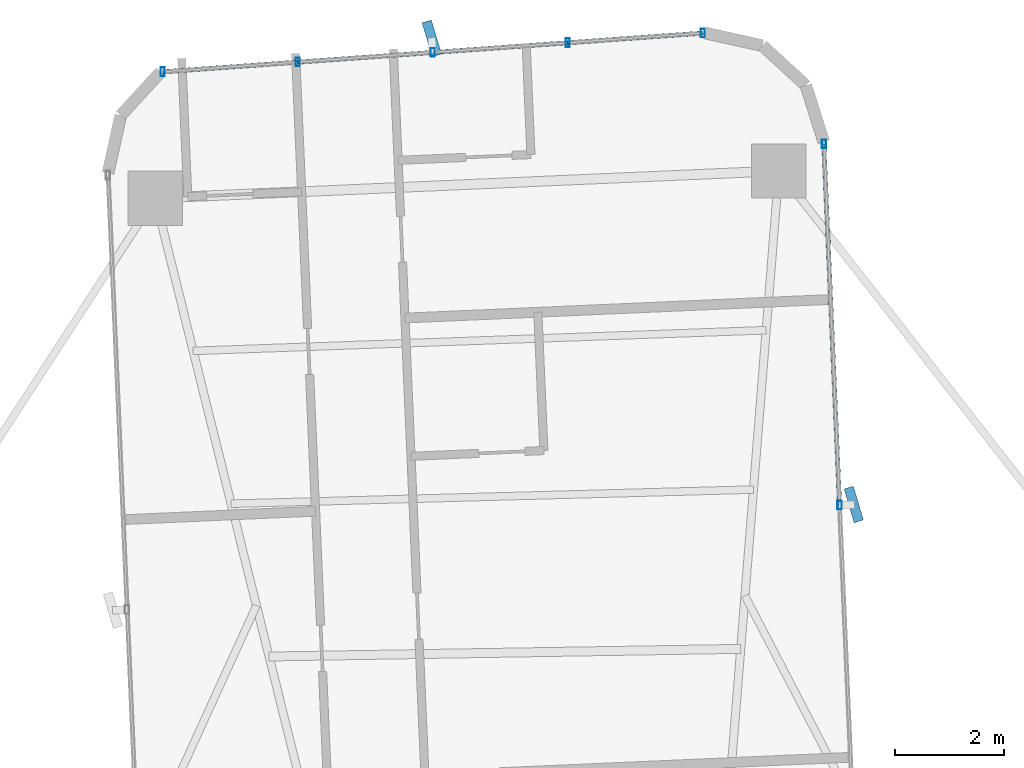
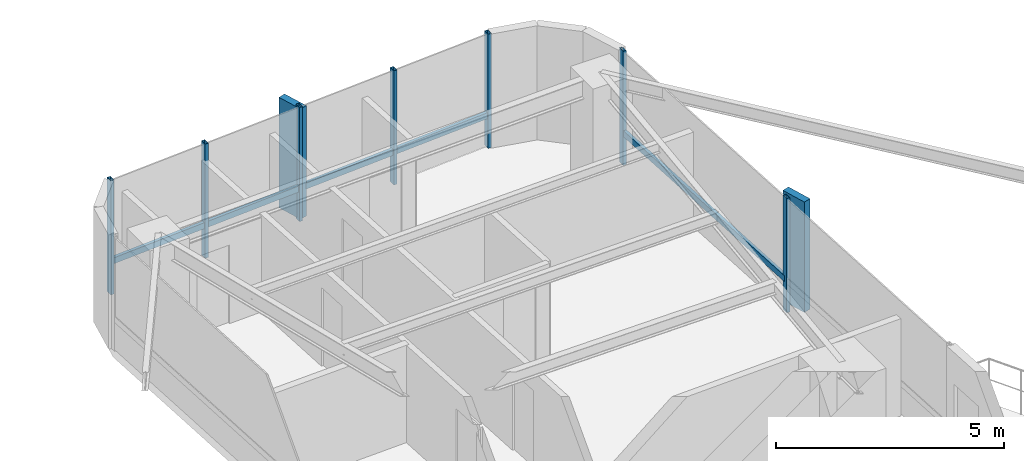
# One storey, part 19 of 27: 14 members, 2 elements without a shape of their own.
"""IFC4 building model written with IfcOpenShell, lengths in metres."""

from ifc_helpers import new_model, si_unit, direction, frame, origin, origin_2d, place, context, subcontext, project, spatial, rectangle, hollow_rectangle, extrude, source, transform, mapped, material, material_profile, profile_set, type_object, element, aggregate, save


model = new_model("IFC4")

# Units and contexts
model_context = context("Model", 3, precision=1e-05, world=origin(), true_north=direction((0.0, 1.0)))
body_context = subcontext(model_context, "Body", "Model", "MODEL_VIEW")
ifc_project = project(units=[si_unit("LENGTHUNIT", "METRE"), si_unit("AREAUNIT", "SQUARE_METRE"), si_unit("VOLUMEUNIT", "CUBIC_METRE"), si_unit("PLANEANGLEUNIT", "RADIAN"), si_unit("MASSUNIT", "GRAM", prefix="KILO")], contexts=[model_context])

# Site, building, storey
site_placement = place(None, origin())
site = spatial("IfcSite", under=ifc_project, at=site_placement, CompositionType="ELEMENT")
building_placement = place(site_placement, origin())
building = spatial("IfcBuilding", under=site, at=building_placement, Name="Sahyath Konkavel Grand Hotel", CompositionType="ELEMENT")
storey_placement = place(building_placement, frame((0.0, 0.0, 103.60009765625)))
storey = spatial("IfcBuildingStorey", under=building, at=storey_placement, Name="L28", CompositionType="ELEMENT", Elevation=103.60009765625)

# Curtain wall, members
ifc_material_1 = material(Name="Anodised Bronze Aluminium & Low-E Glazing", Category="aluminium")
curtain_wall_type = type_object("IfcCurtainWallType", Name="CW-ZONE2", PredefinedType="NOTDEFINED", material=ifc_material_1)
curtain_wall_1_placement = place(storey_placement, origin())
curtain_wall_1 = element("IfcCurtainWall", 1, at=curtain_wall_1_placement, inside=storey, type_object=curtain_wall_type, Name="L28 Unitised Curtain Wall F12", PredefinedType="NOTDEFINED")
ifc_material_2 = material(Name="Anodised Bronze Aluminium", Category="aluminium")
ifc_material_profile_1 = material_profile(ifc_material_2, hollow_rectangle(XDim=0.080078125, YDim=0.159912109375, WallThickness=0.006103515625, at=origin_2d()), Name="RHS 160x80x6")
ifc_profile_set_1 = profile_set([ifc_material_profile_1], Name="Anodised Bronze Aluminium")
member_type_1 = type_object("IfcMemberType", Name="CW-TRN-160", PredefinedType="USERDEFINED", material=ifc_profile_set_1)
shared_shape_1 = source(origin(), body_context, "Body", "SweptSolid", [
    extrude(hollow_rectangle(XDim=0.080078125, YDim=0.159912109375, WallThickness=0.006103515625, at=origin_2d()), origin(), (0.0, 0.0, 1.0), 2.493408203125),
])
member_1_placement = place(storey_placement, frame((3.3740234375, 24.9697265625, 0.849853515625), z_axis=(-0.997442271688, -0.071476672066, 0.0), x_axis=(0.071476672066, -0.997442271688, 0.0)))
member_1 = element("IfcMember", 2, at=member_1_placement, type_object=member_type_1, Name="L28 Curtain Wall Transom F12-0-spandrel", ObjectType="TRANSOM", PredefinedType="USERDEFINED", context=body_context, shape_type="MappedRepresentation", body=[
    mapped(shared_shape_1, transform((0.0, 0.0, 0.0), scale=1.0)),
])
member_2_placement = place(storey_placement, frame((0.886962890625, 24.79150390625, 0.849853515625), z_axis=(-0.997428291631, -0.071671494009, 0.0), x_axis=(0.071671494009, -0.997428291631, 0.0)))
member_2 = element("IfcMember", 3, at=member_2_placement, type_object=member_type_1, Name="L28 Curtain Wall Transom F12-1-spandrel", ObjectType="TRANSOM", PredefinedType="USERDEFINED", context=body_context, shape_type="MappedRepresentation", body=[
    mapped(shared_shape_1, transform((0.0, 0.0, 0.0), scale=1.0)),
])
member_3_placement = place(storey_placement, frame((-1.60009765625, 24.61279296875, 0.849853515625), z_axis=(-0.997442271688, -0.071476672066, 0.0), x_axis=(0.071476672066, -0.997442271688, 0.0)))
member_3 = element("IfcMember", 4, at=member_3_placement, type_object=member_type_1, Name="L28 Curtain Wall Transom F12-2-spandrel", ObjectType="TRANSOM", PredefinedType="USERDEFINED", context=body_context, shape_type="MappedRepresentation", body=[
    mapped(shared_shape_1, transform((0.0, 0.0, 0.0), scale=1.0)),
])
member_4_placement = place(storey_placement, frame((-4.087158203125, 24.4345703125, 0.849853515625), z_axis=(-0.997435286367, -0.071574084062, 0.0), x_axis=(0.071574084062, -0.997435286367, 0.0)))
member_4 = element("IfcMember", 5, at=member_4_placement, type_object=member_type_1, Name="L28 Curtain Wall Transom F12-3-spandrel", ObjectType="TRANSOM", PredefinedType="USERDEFINED", context=body_context, shape_type="MappedRepresentation", body=[
    mapped(shared_shape_1, transform((0.0, 0.0, 0.0), scale=1.0)),
])

curtain_wall_2_placement = place(storey_placement, origin())
curtain_wall_2 = element("IfcCurtainWall", 6, at=curtain_wall_2_placement, inside=storey, type_object=curtain_wall_type, Name="L28 Unitised Curtain Wall F8", PredefinedType="NOTDEFINED")
shared_shape_2 = source(origin(), body_context, "Body", "SweptSolid", [
    extrude(hollow_rectangle(XDim=0.080078125, YDim=0.159912109375, WallThickness=0.006103515625, at=origin_2d()), origin(), (0.0, 0.0, 1.0), 6.659912109375),
])
member_5_placement = place(storey_placement, frame((5.895751953125, 16.272705078125, 0.849853515625), z_axis=(-0.043623350741, 0.999048048529, 0.0), x_axis=(-0.999048048529, -0.043623350741, 0.0)))
member_5 = element("IfcMember", 7, at=member_5_placement, type_object=member_type_1, Name="L28 Curtain Wall Transom F8-1-spandrel", ObjectType="TRANSOM", PredefinedType="USERDEFINED", context=body_context, shape_type="MappedRepresentation", body=[
    mapped(shared_shape_2, transform((0.0, 0.0, 0.0), scale=1.0)),
])
ifc_material_profile_2 = material_profile(ifc_material_2, hollow_rectangle(XDim=0.080078125, YDim=0.159912109375, WallThickness=0.006103515625, at=origin_2d()), Name="RHS 160x80x6")
ifc_profile_set_2 = profile_set([ifc_material_profile_2], Name="Anodised Bronze Aluminium")
member_type_2 = type_object("IfcMemberType", Name="CW-MUL-160", PredefinedType="MULLION", material=ifc_profile_set_2)
shared_shape_3 = source(origin(), body_context, "Body", "SweptSolid", [
    extrude(hollow_rectangle(XDim=0.080078125, YDim=0.159912109375, WallThickness=0.006103515625, at=origin_2d()), origin(), (0.0, 0.0, 1.0), 3.0498046875),
])
member_6_placement = place(storey_placement, frame((5.895751953125, 16.272705078125, 0.0), z_axis=(0.0, 0.0, 1.0), x_axis=(1.0, 0.0, 0.0)))
member_6 = element("IfcMember", 8, at=member_6_placement, type_object=member_type_2, Name="L28 Curtain Wall Mullion F8-1", PredefinedType="MULLION", context=body_context, shape_type="MappedRepresentation", body=[
    mapped(shared_shape_3, transform((0.0, 0.0, 0.0), scale=1.0)),
])
member_7_placement = place(storey_placement, frame((5.605224609375, 22.92626953125, 0.0), z_axis=(0.0, 0.0, 1.0), x_axis=(1.0, 0.0, 0.0)))
member_7 = element("IfcMember", 9, at=member_7_placement, type_object=member_type_2, Name="L28 Curtain Wall Mullion F8-2", PredefinedType="MULLION", context=body_context, shape_type="MappedRepresentation", body=[
    mapped(shared_shape_3, transform((0.0, 0.0, 0.0), scale=1.0)),
])

# Member
member_8_placement = place(storey_placement, frame((3.3740234375, 24.9697265625, 0.0), z_axis=(0.0, 0.0, 1.0), x_axis=(1.0, 0.0, 0.0)))
member_8 = element("IfcMember", 10, at=member_8_placement, type_object=member_type_2, Name="L28 Curtain Wall Mullion F12-0", PredefinedType="MULLION", context=body_context, shape_type="MappedRepresentation", body=[
    mapped(shared_shape_3, transform((0.0, 0.0, 0.0), scale=1.0)),
])

member_9_placement = place(storey_placement, frame((0.886962890625, 24.79150390625, 0.0), z_axis=(0.0, 0.0, 1.0), x_axis=(1.0, 0.0, 0.0)))
member_9 = element("IfcMember", 11, at=member_9_placement, type_object=member_type_2, Name="L28 Curtain Wall Mullion F12-1", PredefinedType="MULLION", context=body_context, shape_type="MappedRepresentation", body=[
    mapped(shared_shape_3, transform((0.0, 0.0, 0.0), scale=1.0)),
])

member_10_placement = place(storey_placement, frame((-1.60009765625, 24.61279296875, 0.0), z_axis=(0.0, 0.0, 1.0), x_axis=(1.0, 0.0, 0.0)))
member_10 = element("IfcMember", 12, at=member_10_placement, type_object=member_type_2, Name="L28 Curtain Wall Mullion F12-2", PredefinedType="MULLION", context=body_context, shape_type="MappedRepresentation", body=[
    mapped(shared_shape_3, transform((0.0, 0.0, 0.0), scale=1.0)),
])

member_11_placement = place(storey_placement, frame((-4.087158203125, 24.4345703125, 0.0), z_axis=(0.0, 0.0, 1.0), x_axis=(1.0, 0.0, 0.0)))
member_11 = element("IfcMember", 13, at=member_11_placement, type_object=member_type_2, Name="L28 Curtain Wall Mullion F12-3", PredefinedType="MULLION", context=body_context, shape_type="MappedRepresentation", body=[
    mapped(shared_shape_3, transform((0.0, 0.0, 0.0), scale=1.0)),
])

member_12_placement = place(storey_placement, frame((-6.57421875, 24.256103515625, 0.0), z_axis=(0.0, 0.0, 1.0), x_axis=(1.0, 0.0, 0.0)))
member_12 = element("IfcMember", 14, at=member_12_placement, type_object=member_type_2, Name="L28 Curtain Wall Mullion F12-4", PredefinedType="MULLION", context=body_context, shape_type="MappedRepresentation", body=[
    mapped(shared_shape_3, transform((0.0, 0.0, 0.0), scale=1.0)),
])

ifc_material_3 = material(Name="Warm Buff Sandstone Cladding on Concrete C50/60", Category="masonry")
ifc_material_profile_3 = material_profile(ifc_material_3, rectangle(XDim=0.179931640625, YDim=0.64990234375, at=origin_2d()), Name="FIN 180x650")
ifc_profile_set_3 = profile_set([ifc_material_profile_3], Name="Warm Buff Sandstone Cladding on Concrete C50/60")
member_type_3 = type_object("IfcMemberType", Name="FIN-SANDSTONE-650", PredefinedType="MULLION", material=ifc_profile_set_3)
shared_shape_4 = source(origin(), body_context, "Body", "SweptSolid", [
    extrude(rectangle(XDim=0.179931640625, YDim=0.64990234375, at=origin_2d()), origin(), (0.0, 0.0, 1.0), 2.9501953125),
])
member_13_placement = place(storey_placement, frame((6.155517578125, 16.283935546875, 0.0498046875), z_axis=(0.0, 0.0, 1.0), x_axis=(0.959264682049, 0.282508884416, 0.0)))
member_13 = element("IfcMember", 15, at=member_13_placement, type_object=member_type_3, Name="L28 Sandstone Vertical Solar Fin FIN F8-1", PredefinedType="MULLION", context=body_context, shape_type="MappedRepresentation", body=[
    mapped(shared_shape_4, transform((0.0, 0.0, 0.0), scale=1.0)),
])

aggregate(curtain_wall_2, [member_6, member_13, member_7, member_5])

member_14_placement = place(storey_placement, frame((-1.61865234375, 24.872314453125, 0.0498046875), z_axis=(0.0, 0.0, 1.0), x_axis=(0.957117481996, 0.289700061544, 0.0)))
member_14 = element("IfcMember", 16, at=member_14_placement, type_object=member_type_3, Name="L28 Sandstone Vertical Solar Fin FIN F12-2", PredefinedType="MULLION", context=body_context, shape_type="MappedRepresentation", body=[
    mapped(shared_shape_4, transform((0.0, 0.0, 0.0), scale=1.0)),
])

aggregate(curtain_wall_1, [member_8, member_9, member_10, member_14, member_11, member_12, member_1, member_2, member_3, member_4])

save(model, "model.ifc")
